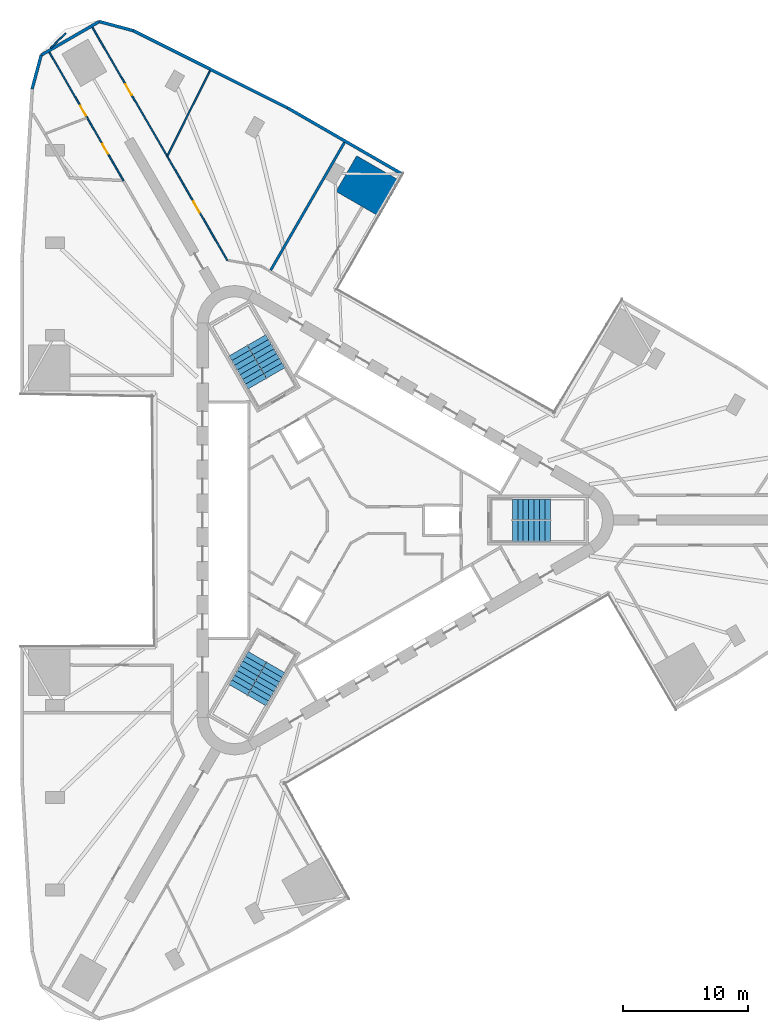
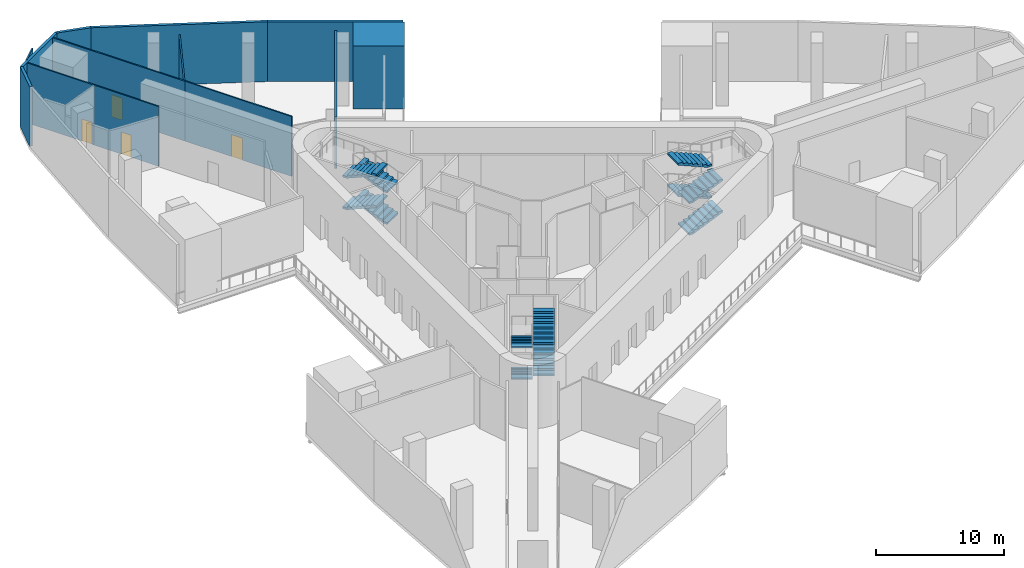
# One storey, part 8 of 11: 13 walls, 12 stair flights, 4 doors, 4 openings, 3 elements without a shape of their own.
"""IFC4 building model written with IfcOpenShell, lengths in metres."""

from ifc_helpers import new_model, si_unit, direction, frame, frame_2d, origin, place, context, subcontext, project, spatial, polyline, rectangle, outline, extrude, material, layer, layer_set, type_object, element, fill, aggregate, save


model = new_model("IFC4")

# Units and contexts
model_context = context("Model", 3, precision=1e-05, world=origin(), true_north=direction((0.0, 1.0)))
body_context = subcontext(model_context, "Body", "Model", "MODEL_VIEW")
ifc_project = project(units=[si_unit("LENGTHUNIT", "METRE"), si_unit("AREAUNIT", "SQUARE_METRE"), si_unit("VOLUMEUNIT", "CUBIC_METRE"), si_unit("PLANEANGLEUNIT", "RADIAN"), si_unit("MASSUNIT", "GRAM", prefix="KILO")], contexts=[model_context])

# Site, building, storey
site_placement = place(None, origin())
site = spatial("IfcSite", under=ifc_project, at=site_placement, CompositionType="ELEMENT")
building_placement = place(site_placement, origin())
building = spatial("IfcBuilding", under=site, at=building_placement, Name="Tanit Gate Tower", CompositionType="ELEMENT")
storey_placement = place(building_placement, frame((0.0, 0.0, 27.5)))
storey = spatial("IfcBuildingStorey", under=building, at=storey_placement, Name="L04", CompositionType="ELEMENT", Elevation=27.5)

# Walls
ifc_material_1 = material(Name="Concrete C30/37 with bronze anodised aluminium cladding", Category="concrete")
ifc_layer_1 = layer(ifc_material_1, 0.239990234375)
ifc_layer_set_1 = layer_set([ifc_layer_1], Name="Facade wall bronze clad 240")
wall_type_1 = type_object("IfcWallType", Name="Facade wall bronze clad 240", PredefinedType="SOLIDWALL", material=ifc_layer_set_1)
wall_1_placement = place(storey_placement, frame((4.2900390625, 27.669677734375, 0.0), z_axis=(0.0, 0.0, 1.0), x_axis=(-0.866062075984, 0.499936476508, 0.0)))
element("IfcWall", 1, at=wall_1_placement, inside=storey, type_object=wall_type_1, Name="Bronze-clad facade wall L04 NE2b", PredefinedType="SOLIDWALL", context=body_context, shape_type="SweptSolid", body=[
    extrude(rectangle(XDim=10.565673828125, YDim=0.239990234375, at=frame_2d((5.28271484375, 0.0))), origin(), (0.0, 0.0, 1.0), 5.699951171875),
])
wall_2_placement = place(storey_placement, frame((-4.860595703125, 32.951904296875, 0.0), z_axis=(0.0, 0.0, 1.0), x_axis=(-0.894285628533, 0.447496608478, 0.0)))
element("IfcWall", 2, at=wall_2_placement, inside=storey, type_object=wall_type_1, Name="Bronze-clad facade wall L04 NE3", PredefinedType="SOLIDWALL", context=body_context, shape_type="SweptSolid", body=[
    extrude(rectangle(XDim=13.80126953125, YDim=0.239990234375, at=frame_2d((6.900634765625, 0.0))), origin(), (0.0, 0.0, 1.0), 5.699951171875),
])
wall_3_placement = place(storey_placement, frame((-17.202880859375, 39.1279296875, 0.0), z_axis=(0.0, 0.0, 1.0), x_axis=(-0.965923146675, 0.25882904535, 0.0)))
element("IfcWall", 3, at=wall_3_placement, inside=storey, type_object=wall_type_1, Name="Bronze-clad facade wall L04 NW.arc1", PredefinedType="SOLIDWALL", context=body_context, shape_type="SweptSolid", body=[
    extrude(rectangle(XDim=2.800537109375, YDim=0.239990234375, at=frame_2d((1.400390625, 0.0))), origin(), (0.0, 0.0, 1.0), 5.699951171875),
])
wall_4_placement = place(storey_placement, frame((-19.907958984375, 39.852783203125, 0.0), z_axis=(0.0, 0.0, 1.0), x_axis=(-0.866010734295, -0.500025407441, 0.0)))
element("IfcWall", 4, at=wall_4_placement, inside=storey, type_object=wall_type_1, Name="Bronze-clad facade wall L04 NW.arc2", PredefinedType="SOLIDWALL", context=body_context, shape_type="SweptSolid", body=[
    extrude(rectangle(XDim=5.371337890625, YDim=0.239990234375, at=frame_2d((2.685546875, 0.0))), origin(), (0.0, 0.0, 1.0), 5.699951171875),
])
wall_5_placement = place(storey_placement, frame((-24.5595703125, 37.1669921875, 0.0), z_axis=(0.0, 0.0, 1.0), x_axis=(-0.258850842196, -0.965917305723, 0.0)))
element("IfcWall", 5, at=wall_5_placement, inside=storey, type_object=wall_type_1, Name="Bronze-clad facade wall L04 NW.arc3", PredefinedType="SOLIDWALL", context=body_context, shape_type="SweptSolid", body=[
    extrude(rectangle(XDim=2.80029296875, YDim=0.239990234375, at=frame_2d((1.400146484375, 0.0))), origin(), (0.0, 0.0, 1.0), 5.699951171875),
])
ifc_material_2 = material(Name="Fire-rated gypsum board partition")
ifc_layer_2 = layer(ifc_material_2, 0.199951171875)
ifc_layer_set_2 = layer_set([ifc_layer_2], Name="INT-WALL-COMPARTMENT")
wall_type_2 = type_object("IfcWallType", Name="INT-WALL-COMPARTMENT", PredefinedType="PARTITIONING", material=ifc_layer_set_2)
wall_6_placement = place(storey_placement, frame((-6.212158203125, 19.9833984375, 0.0), z_axis=(0.0, 0.0, 1.0), x_axis=(0.499938894435, 0.866060680225, 0.0)))
element("IfcWall", 6, at=wall_6_placement, inside=storey, type_object=wall_type_2, Name="Wall Compartment W115", PredefinedType="PARTITIONING", context=body_context, shape_type="SweptSolid", body=[
    extrude(rectangle(XDim=11.7822265625, YDim=0.199951171875, at=frame_2d((5.89111328125, 0.0))), origin(), (0.0, 0.0, 1.0), 4.8798828125),
])

# Wall, opening, door
ifc_material_3 = material(Name="Gypsum board partition")
ifc_layer_3 = layer(ifc_material_3, 0.1201171875)
ifc_layer_set_3 = layer_set([ifc_layer_3], Name="INT-WALL-PARTITION")
wall_type_3 = type_object("IfcWallType", Name="INT-WALL-PARTITION", PredefinedType="PARTITIONING", material=ifc_layer_set_3)
wall_7_placement = place(storey_placement, frame((-17.9765625, 27.13623046875, 0.0), z_axis=(0.0, 0.0, 1.0), x_axis=(-0.499995346943, 0.866028090212, 0.0)))
wall_7 = element("IfcWall", 7, at=wall_7_placement, inside=storey, type_object=wall_type_3, Name="Wall Partition W088", PredefinedType="PARTITIONING", context=body_context, shape_type="SweptSolid", body=[
    extrude(rectangle(XDim=5.80810546875, YDim=0.1201171875, at=frame_2d((2.904052734375, 0.0))), origin(), (0.0, 0.0, 1.0), 5.699951171875),
])
opening_1_placement = place(wall_7_placement, frame((2.487060546875, 0.0, 0.0)))
opening_1 = element("IfcOpeningElement", 8, at=opening_1_placement, cuts=wall_7, Name="Opening D09-04-15", PredefinedType="OPENING", context=body_context, shape_type="SweptSolid", body=[
    extrude(rectangle(XDim=0.89990234375, YDim=2.10009765625, at=frame_2d((0.449951171875, 1.050048828125))), frame((0.0, 0.070068359375, 0.0), z_axis=(0.0, -1.0, 0.0), x_axis=(1.0, 0.0, 0.0)), (0.0, 0.0, 1.0), 0.14013671875),
])
ifc_material_4 = material(Name="Timber door leaf", Category="wood")
door_type_1 = type_object("IfcDoorType", Name="INT-DOOR-SINGLE-900", OperationType="NOTDEFINED", PredefinedType="NOTDEFINED", material=ifc_material_4)
door_1_placement = place(opening_1_placement, origin())
door_1 = element("IfcDoor", 9, at=door_1_placement, inside=storey, type_object=door_type_1, Name="Door D09-04-15", OperationType="SINGLE_SWING_RIGHT", OverallHeight=2.10009765625, OverallWidth=0.89990234375, PredefinedType="NOTDEFINED", context=body_context, shape_type="SweptSolid", body=[
    extrude(rectangle(XDim=0.89990234375, YDim=2.10009765625, at=frame_2d((0.449951171875, 1.050048828125))), frame((0.0, 0.02490234375, 0.0), z_axis=(0.0, -1.0, 0.0), x_axis=(1.0, 0.0, 0.0)), (0.0, 0.0, 1.0), 0.050048828125),
])
fill(opening_1, door_1)

wall_8_placement = place(storey_placement, frame((-20.880615234375, 32.166259765625, 0.0), z_axis=(0.0, 0.0, 1.0), x_axis=(-0.499997231551, 0.866027002143, 0.0)))
wall_8 = element("IfcWall", 10, at=wall_8_placement, inside=storey, type_object=wall_type_3, Name="Wall Partition W086", PredefinedType="PARTITIONING", context=body_context, shape_type="SweptSolid", body=[
    extrude(rectangle(XDim=6.05029296875, YDim=0.1201171875, at=frame_2d((3.025146484375, 0.0))), origin(), (0.0, 0.0, 1.0), 5.699951171875),
])
opening_2_placement = place(wall_8_placement, frame((0.199951171875, 0.0, 0.0)))
opening_2 = element("IfcOpeningElement", 11, at=opening_2_placement, cuts=wall_8, Name="Opening D09-04-14", PredefinedType="OPENING", context=body_context, shape_type="SweptSolid", body=[
    extrude(rectangle(XDim=0.89990234375, YDim=2.10009765625, at=frame_2d((0.449951171875, 1.050048828125))), frame((0.0, 0.070068359375, 0.0), z_axis=(0.0, -1.0, 0.0), x_axis=(1.0, 0.0, 0.0)), (0.0, 0.0, 1.0), 0.14013671875),
])
door_2_placement = place(opening_2_placement, origin())
door_2 = element("IfcDoor", 12, at=door_2_placement, inside=storey, type_object=door_type_1, Name="Door D09-04-14", OperationType="SINGLE_SWING_LEFT", OverallHeight=2.10009765625, OverallWidth=0.89990234375, PredefinedType="NOTDEFINED", context=body_context, shape_type="SweptSolid", body=[
    extrude(rectangle(XDim=0.89990234375, YDim=2.10009765625, at=frame_2d((0.449951171875, 1.050048828125))), frame((0.0, 0.02490234375, 0.0), z_axis=(0.0, -1.0, 0.0), x_axis=(1.0, 0.0, 0.0)), (0.0, 0.0, 1.0), 0.050048828125),
])
fill(opening_2, door_2)

# Wall
wall_9_placement = place(storey_placement, frame((-22.5947265625, 38.9150390625, 0.0), z_axis=(0.0, 0.0, 1.0), x_axis=(-0.717273158196, -0.696792089888, 0.0)))
element("IfcWall", 13, at=wall_9_placement, inside=storey, type_object=wall_type_3, Name="Wall Partition W087", PredefinedType="PARTITIONING", context=body_context, shape_type="SweptSolid", body=[
    extrude(rectangle(XDim=1.6806640625, YDim=0.1201171875, at=frame_2d((0.84033203125, 0.0))), origin(), (0.0, 0.0, 1.0), 5.699951171875),
])

# Wall, opening, door
wall_10_placement = place(storey_placement, frame((-14.473876953125, 29.0693359375, 0.0), z_axis=(0.0, 0.0, 1.0), x_axis=(0.500007429105, -0.866021114546, 0.0)))
wall_10 = element("IfcWall", 14, at=wall_10_placement, inside=storey, type_object=wall_type_3, Name="Wall Partition W110", PredefinedType="PARTITIONING", context=body_context, shape_type="SweptSolid", body=[
    extrude(rectangle(XDim=9.591064453125, YDim=0.1201171875, at=frame_2d((4.79541015625, 0.0))), origin(), (0.0, 0.0, 1.0), 5.699951171875),
])
opening_3_placement = place(wall_10_placement, frame((4.163818359375, 0.0, 0.0)))
opening_3 = element("IfcOpeningElement", 15, at=opening_3_placement, cuts=wall_10, Name="Opening D10-04-22", PredefinedType="OPENING", context=body_context, shape_type="SweptSolid", body=[
    extrude(rectangle(XDim=1.0, YDim=2.10009765625, at=frame_2d((0.5, 1.050048828125))), frame((0.0, 0.070068359375, 0.0), z_axis=(0.0, -1.0, 0.0), x_axis=(1.0, 0.0, 0.0)), (0.0, 0.0, 1.0), 0.14013671875),
])
ifc_material_5 = material(Name="Timber door leaf", Category="wood")
door_type_2 = type_object("IfcDoorType", Name="INT-DOOR-SINGLE-1000", OperationType="NOTDEFINED", PredefinedType="NOTDEFINED", material=ifc_material_5)
door_3_placement = place(opening_3_placement, origin())
door_3 = element("IfcDoor", 16, at=door_3_placement, inside=storey, type_object=door_type_2, Name="Door D10-04-22", OperationType="SINGLE_SWING_RIGHT", OverallHeight=2.10009765625, OverallWidth=1.0, PredefinedType="NOTDEFINED", context=body_context, shape_type="SweptSolid", body=[
    extrude(rectangle(XDim=1.0, YDim=2.10009765625, at=frame_2d((0.5, 1.050048828125))), frame((0.0, 0.02490234375, 0.0), z_axis=(0.0, -1.0, 0.0), x_axis=(1.0, 0.0, 0.0)), (0.0, 0.0, 1.0), 0.050048828125),
])
fill(opening_3, door_3)

wall_11_placement = place(storey_placement, frame((-20.46630859375, 39.391845703125, 0.0), z_axis=(0.0, 0.0, 1.0), x_axis=(0.50207038067, -0.86482676465, 0.0)))
wall_11 = element("IfcWall", 17, at=wall_11_placement, inside=storey, type_object=wall_type_3, Name="Wall Partition W113", PredefinedType="PARTITIONING", context=body_context, shape_type="SweptSolid", body=[
    extrude(rectangle(XDim=11.93603515625, YDim=0.1201171875, at=frame_2d((5.968017578125, 0.0))), origin(), (0.0, 0.0, 1.0), 5.699951171875),
])
opening_4_placement = place(wall_11_placement, frame((5.266845703125, 0.0, 0.0)))
opening_4 = element("IfcOpeningElement", 18, at=opening_4_placement, cuts=wall_11, Name="Opening D10-04-23", PredefinedType="OPENING", context=body_context, shape_type="SweptSolid", body=[
    extrude(rectangle(XDim=1.0, YDim=2.10009765625, at=frame_2d((0.5, 1.050048828125))), frame((0.0, 0.070068359375, 0.0), z_axis=(0.0, -1.0, 0.0), x_axis=(1.0, 0.0, 0.0)), (0.0, 0.0, 1.0), 0.14013671875),
])
door_4_placement = place(opening_4_placement, origin())
door_4 = element("IfcDoor", 19, at=door_4_placement, inside=storey, type_object=door_type_2, Name="Door D10-04-23", OperationType="SINGLE_SWING_RIGHT", OverallHeight=2.10009765625, OverallWidth=1.0, PredefinedType="NOTDEFINED", context=body_context, shape_type="SweptSolid", body=[
    extrude(rectangle(XDim=1.0, YDim=2.10009765625, at=frame_2d((0.5, 1.050048828125))), frame((0.0, 0.02490234375, 0.0), z_axis=(0.0, -1.0, 0.0), x_axis=(1.0, 0.0, 0.0)), (0.0, 0.0, 1.0), 0.050048828125),
])
fill(opening_4, door_4)

# Walls
wall_12_placement = place(storey_placement, frame((-11.060791015625, 35.914794921875, 0.0), z_axis=(0.0, 0.0, 1.0), x_axis=(-0.448736604458, -0.893664064299, 0.0)))
element("IfcWall", 20, at=wall_12_placement, inside=storey, type_object=wall_type_3, Name="Wall Partition W116", PredefinedType="PARTITIONING", context=body_context, shape_type="SweptSolid", body=[
    extrude(rectangle(XDim=7.56298828125, YDim=0.1201171875, at=frame_2d((3.781494140625, 0.0))), origin(), (0.0, 0.0, 1.0), 4.780029296875),
])
ifc_material_6 = material(Name="Concrete C60/75", Category="concrete")
ifc_layer_4 = layer(ifc_material_6, 4.0)
ifc_layer_set_4 = layer_set([ifc_layer_4], Name="PIER WALL 4000 C60/75")
wall_type_4 = type_object("IfcWallType", Name="PIER WALL 4000 C60/75", PredefinedType="SHEAR", material=ifc_layer_set_4)
wall_13_placement = place(storey_placement, origin())
element("IfcWall", 21, at=wall_13_placement, inside=storey, type_object=wall_type_4, Name="PIER WALL", PredefinedType="SHEAR", context=body_context, shape_type="SweptSolid", body=[
    extrude(outline(polyline([(4.116455078125, 27.1298828125), (0.65234375, 29.1298828125), (-0.99755859375, 26.27197265625), (2.466552734375, 24.27197265625), (4.116455078125, 27.1298828125)])), origin(), (0.0, 0.0, 1.0), 6.0),
])

# Stair, stair flights
ifc_material_7 = material(Name="Concrete C40/50", Category="concrete")
stair_type = type_object("IfcStairType", Name="INT-STAIR-EXIT", PredefinedType="HALF_TURN_STAIR", material=ifc_material_7)
stair_1_placement = place(storey_placement, origin())
stair_1 = element("IfcStair", 22, at=stair_1_placement, inside=storey, type_object=stair_type, Name="L04 STAIR S1", PredefinedType="HALF_TURN_STAIR")
ifc_material_8 = material(Name="Concrete C40/50", Category="concrete")
stair_flight_type = type_object("IfcStairFlightType", Name="INT-STAIR-FLIGHT", PredefinedType="STRAIGHT", material=ifc_material_8)
stair_flight_1_placement = place(storey_placement, frame((13.094970703125, -0.8525390625, 0.0), z_axis=(0.0, 0.0, 1.0), x_axis=(1.0, 0.0, 0.0)))
stair_flight_1 = element("IfcStairFlight", 23, at=stair_flight_1_placement, type_object=stair_flight_type, Name="S1 flight 1", NumberOfRisers=8, NumberOfTreads=7, PredefinedType="STRAIGHT", RiserHeight=0.1875, TreadLength=0.435857143, context=body_context, shape_type="SweptSolid", body=[
    extrude(outline(polyline([(0.0, 0.0), (0.0, 0.1875), (0.435791015625, 0.1875), (0.435791015625, 0.375), (0.871826171875, 0.375), (0.871826171875, 0.5625), (1.3076171875, 0.5625), (1.3076171875, 0.75), (1.743408203125, 0.75), (1.743408203125, 0.9375), (2.17919921875, 0.9375), (2.17919921875, 1.125), (2.615234375, 1.125), (2.615234375, 1.3125), (3.051025390625, 1.3125), (3.051025390625, 1.5), (3.051025390625, 1.1494140625), (0.37939453125, 0.0), (0.0, 0.0)])), frame((0.0, 0.84765625, 0.0), z_axis=(0.0, -1.0, 0.0), x_axis=(1.0, 0.0, 0.0)), (0.0, 0.0, 1.0), 1.695068359375),
])
stair_flight_2_placement = place(storey_placement, frame((16.14599609375, 0.8525390625, 1.5), z_axis=(0.0, 0.0, 1.0), x_axis=(-1.0, 0.0, 0.0)))
stair_flight_2 = element("IfcStairFlight", 24, at=stair_flight_2_placement, type_object=stair_flight_type, Name="S1 flight 2", NumberOfRisers=8, NumberOfTreads=7, PredefinedType="STRAIGHT", RiserHeight=0.1875, TreadLength=0.435857143, context=body_context, shape_type="SweptSolid", body=[
    extrude(outline(polyline([(0.0, 0.0), (0.0, 0.1875), (0.435791015625, 0.1875), (0.435791015625, 0.375), (0.871826171875, 0.375), (0.871826171875, 0.5625), (1.3076171875, 0.5625), (1.3076171875, 0.75), (1.743408203125, 0.75), (1.743408203125, 0.9375), (2.17919921875, 0.9375), (2.17919921875, 1.125), (2.615234375, 1.125), (2.615234375, 1.3125), (3.051025390625, 1.3125), (3.051025390625, 1.5), (3.051025390625, 1.1494140625), (0.37939453125, 0.0), (0.0, 0.0)])), frame((0.0, 0.84765625, 0.0), z_axis=(0.0, -1.0, 0.0), x_axis=(1.0, 0.0, 0.0)), (0.0, 0.0, 1.0), 1.695068359375),
])
stair_flight_3_placement = place(storey_placement, frame((13.094970703125, -0.8525390625, 3.0), z_axis=(0.0, 0.0, 1.0), x_axis=(1.0, 0.0, 0.0)))
stair_flight_3 = element("IfcStairFlight", 25, at=stair_flight_3_placement, type_object=stair_flight_type, Name="S1 flight 3", NumberOfRisers=8, NumberOfTreads=7, PredefinedType="STRAIGHT", RiserHeight=0.1875, TreadLength=0.435857143, context=body_context, shape_type="SweptSolid", body=[
    extrude(outline(polyline([(0.0, 0.0), (0.0, 0.1875), (0.435791015625, 0.1875), (0.435791015625, 0.375), (0.871826171875, 0.375), (0.871826171875, 0.5625), (1.3076171875, 0.5625), (1.3076171875, 0.75), (1.743408203125, 0.75), (1.743408203125, 0.9375), (2.17919921875, 0.9375), (2.17919921875, 1.125), (2.615234375, 1.125), (2.615234375, 1.3125), (3.051025390625, 1.3125), (3.051025390625, 1.5), (3.051025390625, 1.1494140625), (0.37939453125, 0.0), (0.0, 0.0)])), frame((0.0, 0.84765625, 0.0), z_axis=(0.0, -1.0, 0.0), x_axis=(1.0, 0.0, 0.0)), (0.0, 0.0, 1.0), 1.695068359375),
])
stair_flight_4_placement = place(storey_placement, frame((16.14599609375, 0.8525390625, 4.5), z_axis=(0.0, 0.0, 1.0), x_axis=(-1.0, 0.0, 0.0)))
stair_flight_4 = element("IfcStairFlight", 26, at=stair_flight_4_placement, type_object=stair_flight_type, Name="S1 flight 4", NumberOfRisers=8, NumberOfTreads=7, PredefinedType="STRAIGHT", RiserHeight=0.1875, TreadLength=0.435857143, context=body_context, shape_type="SweptSolid", body=[
    extrude(outline(polyline([(0.0, 0.0), (0.0, 0.1875), (0.435791015625, 0.1875), (0.435791015625, 0.375), (0.871826171875, 0.375), (0.871826171875, 0.5625), (1.3076171875, 0.5625), (1.3076171875, 0.75), (1.743408203125, 0.75), (1.743408203125, 0.9375), (2.17919921875, 0.9375), (2.17919921875, 1.125), (2.615234375, 1.125), (2.615234375, 1.3125), (3.051025390625, 1.3125), (3.051025390625, 1.5), (3.051025390625, 1.1494140625), (0.37939453125, 0.0), (0.0, 0.0)])), frame((0.0, 0.84765625, 0.0), z_axis=(0.0, -1.0, 0.0), x_axis=(1.0, 0.0, 0.0)), (0.0, 0.0, 1.0), 1.695068359375),
])
aggregate(stair_1, [stair_flight_1, stair_flight_2, stair_flight_3, stair_flight_4])

stair_2_placement = place(storey_placement, origin())
stair_2 = element("IfcStair", 27, at=stair_2_placement, inside=storey, type_object=stair_type, Name="L04 STAIR S2", PredefinedType="HALF_TURN_STAIR")
stair_flight_5_placement = place(storey_placement, frame((-5.808349609375, 11.766357421875, 0.0), z_axis=(0.0, 0.0, 1.0), x_axis=(-0.5, 0.866025403784, 0.0)))
stair_flight_5 = element("IfcStairFlight", 28, at=stair_flight_5_placement, type_object=stair_flight_type, Name="S2 flight 1", NumberOfRisers=8, NumberOfTreads=7, PredefinedType="STRAIGHT", RiserHeight=0.1875, TreadLength=0.4356, context=body_context, shape_type="SweptSolid", body=[
    extrude(outline(polyline([(0.0, 0.0), (0.0, 0.1875), (0.435546875, 0.1875), (0.435546875, 0.375), (0.87109375, 0.375), (0.87109375, 0.5625), (1.306884765625, 0.5625), (1.306884765625, 0.75), (1.742431640625, 0.75), (1.742431640625, 0.9375), (2.177978515625, 0.9375), (2.177978515625, 1.125), (2.613525390625, 1.125), (2.613525390625, 1.3125), (3.04931640625, 1.3125), (3.04931640625, 1.5), (3.04931640625, 1.1494140625), (0.379150390625, 0.0), (0.0, 0.0)])), frame((0.0, 0.84716796875, 0.0), z_axis=(0.0, -1.0, 0.0), x_axis=(1.0, 0.0, 0.0)), (0.0, 0.0, 1.0), 1.694091796875),
])
stair_flight_6_placement = place(storey_placement, frame((-8.810302734375, 13.553955078125, 1.5), z_axis=(0.0, 0.0, 1.0), x_axis=(0.5, -0.866025403784, 0.0)))
stair_flight_6 = element("IfcStairFlight", 29, at=stair_flight_6_placement, type_object=stair_flight_type, Name="S2 flight 2", NumberOfRisers=8, NumberOfTreads=7, PredefinedType="STRAIGHT", RiserHeight=0.1875, TreadLength=0.4356, context=body_context, shape_type="SweptSolid", body=[
    extrude(outline(polyline([(0.0, 0.0), (0.0, 0.1875), (0.435546875, 0.1875), (0.435546875, 0.375), (0.87109375, 0.375), (0.87109375, 0.5625), (1.306884765625, 0.5625), (1.306884765625, 0.75), (1.742431640625, 0.75), (1.742431640625, 0.9375), (2.177978515625, 0.9375), (2.177978515625, 1.125), (2.613525390625, 1.125), (2.613525390625, 1.3125), (3.04931640625, 1.3125), (3.04931640625, 1.5), (3.04931640625, 1.1494140625), (0.379150390625, 0.0), (0.0, 0.0)])), frame((0.0, 0.84716796875, 0.0), z_axis=(0.0, -1.0, 0.0), x_axis=(1.0, 0.0, 0.0)), (0.0, 0.0, 1.0), 1.694091796875),
])
stair_flight_7_placement = place(storey_placement, frame((-5.808349609375, 11.766357421875, 3.0), z_axis=(0.0, 0.0, 1.0), x_axis=(-0.5, 0.866025403784, 0.0)))
stair_flight_7 = element("IfcStairFlight", 30, at=stair_flight_7_placement, type_object=stair_flight_type, Name="S2 flight 3", NumberOfRisers=8, NumberOfTreads=7, PredefinedType="STRAIGHT", RiserHeight=0.1875, TreadLength=0.4356, context=body_context, shape_type="SweptSolid", body=[
    extrude(outline(polyline([(0.0, 0.0), (0.0, 0.1875), (0.435546875, 0.1875), (0.435546875, 0.375), (0.87109375, 0.375), (0.87109375, 0.5625), (1.306884765625, 0.5625), (1.306884765625, 0.75), (1.742431640625, 0.75), (1.742431640625, 0.9375), (2.177978515625, 0.9375), (2.177978515625, 1.125), (2.613525390625, 1.125), (2.613525390625, 1.3125), (3.04931640625, 1.3125), (3.04931640625, 1.5), (3.04931640625, 1.1494140625), (0.379150390625, 0.0), (0.0, 0.0)])), frame((0.0, 0.84716796875, 0.0), z_axis=(0.0, -1.0, 0.0), x_axis=(1.0, 0.0, 0.0)), (0.0, 0.0, 1.0), 1.694091796875),
])
stair_flight_8_placement = place(storey_placement, frame((-8.810302734375, 13.553955078125, 4.5), z_axis=(0.0, 0.0, 1.0), x_axis=(0.5, -0.866025403784, 0.0)))
stair_flight_8 = element("IfcStairFlight", 31, at=stair_flight_8_placement, type_object=stair_flight_type, Name="S2 flight 4", NumberOfRisers=8, NumberOfTreads=7, PredefinedType="STRAIGHT", RiserHeight=0.1875, TreadLength=0.4356, context=body_context, shape_type="SweptSolid", body=[
    extrude(outline(polyline([(0.0, 0.0), (0.0, 0.1875), (0.435546875, 0.1875), (0.435546875, 0.375), (0.87109375, 0.375), (0.87109375, 0.5625), (1.306884765625, 0.5625), (1.306884765625, 0.75), (1.742431640625, 0.75), (1.742431640625, 0.9375), (2.177978515625, 0.9375), (2.177978515625, 1.125), (2.613525390625, 1.125), (2.613525390625, 1.3125), (3.04931640625, 1.3125), (3.04931640625, 1.5), (3.04931640625, 1.1494140625), (0.379150390625, 0.0), (0.0, 0.0)])), frame((0.0, 0.84716796875, 0.0), z_axis=(0.0, -1.0, 0.0), x_axis=(1.0, 0.0, 0.0)), (0.0, 0.0, 1.0), 1.694091796875),
])
aggregate(stair_2, [stair_flight_5, stair_flight_6, stair_flight_7, stair_flight_8])

stair_3_placement = place(storey_placement, origin())
stair_3 = element("IfcStair", 32, at=stair_3_placement, inside=storey, type_object=stair_type, Name="L04 STAIR S3", PredefinedType="HALF_TURN_STAIR")
stair_flight_9_placement = place(storey_placement, frame((-7.285888671875, -10.914306640625, 0.0), z_axis=(0.0, 0.0, 1.0), x_axis=(-0.5, -0.866025403784, 0.0)))
stair_flight_9 = element("IfcStairFlight", 33, at=stair_flight_9_placement, type_object=stair_flight_type, Name="S3 flight 1", NumberOfRisers=8, NumberOfTreads=7, PredefinedType="STRAIGHT", RiserHeight=0.1875, TreadLength=0.435857143, context=body_context, shape_type="SweptSolid", body=[
    extrude(outline(polyline([(0.0, 0.0), (0.0, 0.1875), (0.435791015625, 0.1875), (0.435791015625, 0.375), (0.871826171875, 0.375), (0.871826171875, 0.5625), (1.3076171875, 0.5625), (1.3076171875, 0.75), (1.743408203125, 0.75), (1.743408203125, 0.9375), (2.17919921875, 0.9375), (2.17919921875, 1.125), (2.615234375, 1.125), (2.615234375, 1.3125), (3.051025390625, 1.3125), (3.051025390625, 1.5), (3.051025390625, 1.1494140625), (0.37939453125, 0.0), (0.0, 0.0)])), frame((0.0, 0.84765625, 0.0), z_axis=(0.0, -1.0, 0.0), x_axis=(1.0, 0.0, 0.0)), (0.0, 0.0, 1.0), 1.695068359375),
])
stair_flight_10_placement = place(storey_placement, frame((-7.334716796875, -14.4091796875, 1.5), z_axis=(0.0, 0.0, 1.0), x_axis=(0.5, 0.866025403784, 0.0)))
stair_flight_10 = element("IfcStairFlight", 34, at=stair_flight_10_placement, type_object=stair_flight_type, Name="S3 flight 2", NumberOfRisers=8, NumberOfTreads=7, PredefinedType="STRAIGHT", RiserHeight=0.1875, TreadLength=0.435857143, context=body_context, shape_type="SweptSolid", body=[
    extrude(outline(polyline([(0.0, 0.0), (0.0, 0.1875), (0.435791015625, 0.1875), (0.435791015625, 0.375), (0.871826171875, 0.375), (0.871826171875, 0.5625), (1.3076171875, 0.5625), (1.3076171875, 0.75), (1.743408203125, 0.75), (1.743408203125, 0.9375), (2.17919921875, 0.9375), (2.17919921875, 1.125), (2.615234375, 1.125), (2.615234375, 1.3125), (3.051025390625, 1.3125), (3.051025390625, 1.5), (3.051025390625, 1.1494140625), (0.37939453125, 0.0), (0.0, 0.0)])), frame((0.0, 0.84765625, 0.0), z_axis=(0.0, -1.0, 0.0), x_axis=(1.0, 0.0, 0.0)), (0.0, 0.0, 1.0), 1.695068359375),
])
stair_flight_11_placement = place(storey_placement, frame((-7.285888671875, -10.914306640625, 3.0), z_axis=(0.0, 0.0, 1.0), x_axis=(-0.5, -0.866025403784, 0.0)))
stair_flight_11 = element("IfcStairFlight", 35, at=stair_flight_11_placement, type_object=stair_flight_type, Name="S3 flight 3", NumberOfRisers=8, NumberOfTreads=7, PredefinedType="STRAIGHT", RiserHeight=0.1875, TreadLength=0.435857143, context=body_context, shape_type="SweptSolid", body=[
    extrude(outline(polyline([(0.0, 0.0), (0.0, 0.1875), (0.435791015625, 0.1875), (0.435791015625, 0.375), (0.871826171875, 0.375), (0.871826171875, 0.5625), (1.3076171875, 0.5625), (1.3076171875, 0.75), (1.743408203125, 0.75), (1.743408203125, 0.9375), (2.17919921875, 0.9375), (2.17919921875, 1.125), (2.615234375, 1.125), (2.615234375, 1.3125), (3.051025390625, 1.3125), (3.051025390625, 1.5), (3.051025390625, 1.1494140625), (0.37939453125, 0.0), (0.0, 0.0)])), frame((0.0, 0.84765625, 0.0), z_axis=(0.0, -1.0, 0.0), x_axis=(1.0, 0.0, 0.0)), (0.0, 0.0, 1.0), 1.695068359375),
])
stair_flight_12_placement = place(storey_placement, frame((-7.334716796875, -14.4091796875, 4.5), z_axis=(0.0, 0.0, 1.0), x_axis=(0.5, 0.866025403784, 0.0)))
stair_flight_12 = element("IfcStairFlight", 36, at=stair_flight_12_placement, type_object=stair_flight_type, Name="S3 flight 4", NumberOfRisers=8, NumberOfTreads=7, PredefinedType="STRAIGHT", RiserHeight=0.1875, TreadLength=0.435857143, context=body_context, shape_type="SweptSolid", body=[
    extrude(outline(polyline([(0.0, 0.0), (0.0, 0.1875), (0.435791015625, 0.1875), (0.435791015625, 0.375), (0.871826171875, 0.375), (0.871826171875, 0.5625), (1.3076171875, 0.5625), (1.3076171875, 0.75), (1.743408203125, 0.75), (1.743408203125, 0.9375), (2.17919921875, 0.9375), (2.17919921875, 1.125), (2.615234375, 1.125), (2.615234375, 1.3125), (3.051025390625, 1.3125), (3.051025390625, 1.5), (3.051025390625, 1.1494140625), (0.37939453125, 0.0), (0.0, 0.0)])), frame((0.0, 0.84765625, 0.0), z_axis=(0.0, -1.0, 0.0), x_axis=(1.0, 0.0, 0.0)), (0.0, 0.0, 1.0), 1.695068359375),
])
aggregate(stair_3, [stair_flight_9, stair_flight_10, stair_flight_11, stair_flight_12])

save(model, "model.ifc")
